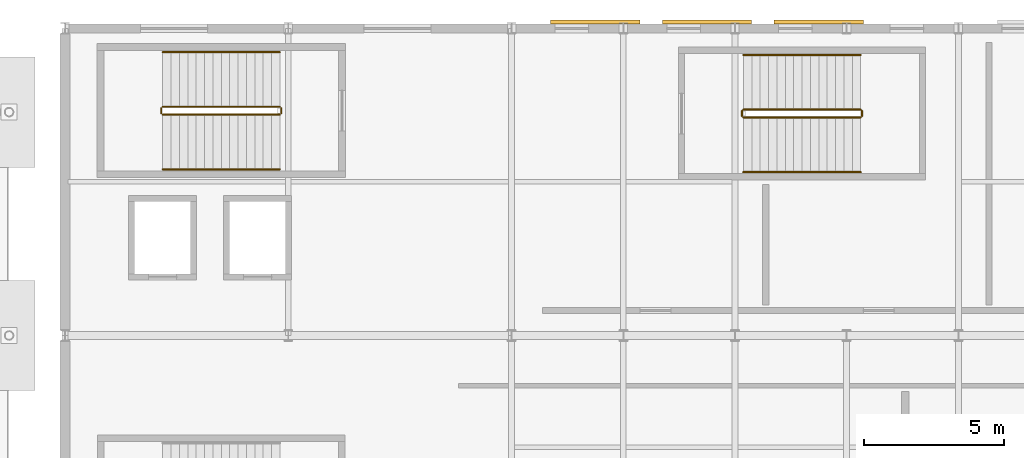
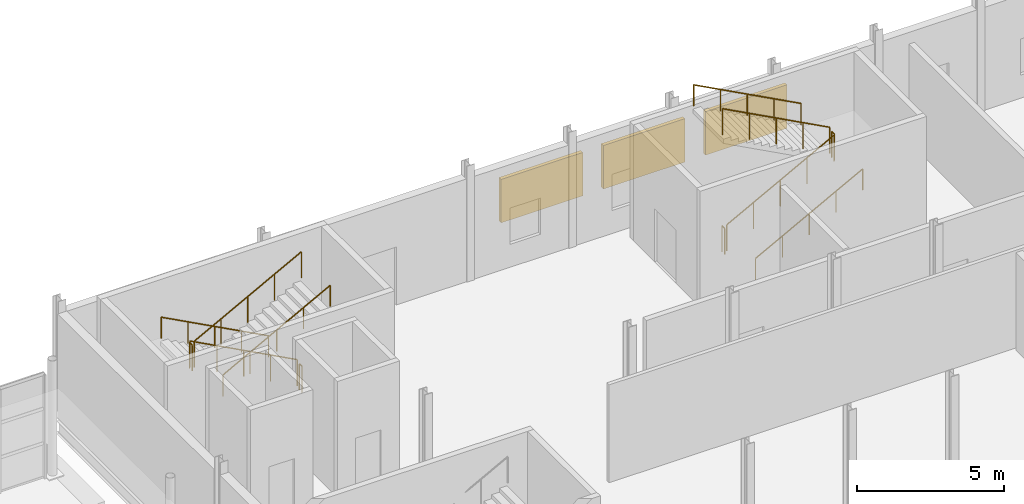
# One storey, part 98 of 101: 12 railings, 3 shading devices.
"""IFC4 building model written with IfcOpenShell, lengths in metres."""

from ifc_helpers import new_model, si_unit, derived_unit, direction, frame, origin, origin_2d, place, context, subcontext, project, spatial, rectangle, circle, extrude, material, type_object, element, save


model = new_model("IFC4")

# Units and contexts
model_context = context("Model", 3, precision=1e-05, world=origin(), true_north=direction((0.0, 1.0)))
body_context = subcontext(model_context, "Body", "Model", "MODEL_VIEW")
ifc_project = project(units=[si_unit("LENGTHUNIT", "METRE"), si_unit("AREAUNIT", "SQUARE_METRE"), si_unit("VOLUMEUNIT", "CUBIC_METRE"), si_unit("PLANEANGLEUNIT", "RADIAN"), si_unit("MASSUNIT", "GRAM", prefix="KILO"), derived_unit("THERMALTRANSMITTANCEUNIT", [(si_unit("POWERUNIT", "WATT"), 1), (si_unit("LENGTHUNIT", "METRE"), -2), (si_unit("THERMODYNAMICTEMPERATUREUNIT", "KELVIN"), -1)])], contexts=[model_context])

# Site, building, storey
site_placement = place(None, origin())
site = spatial("IfcSite", under=ifc_project, at=site_placement, CompositionType="ELEMENT")
building_placement = place(site_placement, origin())
building = spatial("IfcBuilding", under=site, at=building_placement, Name="Keldorne Ridge Multi-Sports Centre", CompositionType="ELEMENT")
storey_placement = place(building_placement, origin())
storey = spatial("IfcBuildingStorey", under=building, at=storey_placement, Name="L00", CompositionType="ELEMENT", Elevation=0.0)

# Railings
ifc_material_1 = material(Name="Laminated glass and stainless steel", Category="steel")
railing_type_1 = type_object("IfcRailingType", Name="RLG-BL-01", PredefinedType="BALUSTRADE", material=ifc_material_1)
railing_1_placement = place(storey_placement, frame((111.699951171875, 114.18994140625, 0.159912109375)))
element("IfcRailing", 1, at=railing_1_placement, inside=storey, type_object=railing_type_1, Name="L00 ST-01 stair guard 1", PredefinedType="BALUSTRADE", context=body_context, shape_type="SweptSolid", body=[
    extrude(circle(Radius=0.02392578125, at=origin_2d()), frame((0.0, 0.0, 1.076171875), z_axis=(-0.882351521365, 0.0, 0.470590897432), x_axis=(0.0, -1.0, 0.0)), (0.0, 0.0, 1.0), 4.760009765625),
    extrude(circle(Radius=0.02099609375, at=origin_2d()), origin(), (0.0, 0.0, 1.0), 1.052001953125),
    extrude(circle(Radius=0.02099609375, at=origin_2d()), frame((-1.050048828125, 0.0, 0.56005859375)), (0.0, 0.0, 1.0), 1.052001953125),
    extrude(circle(Radius=0.02099609375, at=origin_2d()), frame((-2.10009765625, 0.0, 1.1201171875)), (0.0, 0.0, 1.0), 1.052001953125),
    extrude(circle(Radius=0.02099609375, at=origin_2d()), frame((-3.14990234375, 0.0, 1.679931640625)), (0.0, 0.0, 1.0), 1.052001953125),
    extrude(circle(Radius=0.02099609375, at=origin_2d()), frame((-4.199951171875, 0.0, 2.239990234375)), (0.0, 0.0, 1.0), 1.052001953125),
])
railing_2_placement = place(storey_placement, frame((107.449951171875, 114.139892578125, 2.39990234375)))
element("IfcRailing", 2, at=railing_2_placement, inside=storey, type_object=railing_type_1, Name="L00 ST-01 stair guard 2", PredefinedType="BALUSTRADE", context=body_context, shape_type="SweptSolid", body=[
    extrude(circle(Radius=0.02392578125, at=origin_2d()), frame((0.0, 0.0, 1.076171875), z_axis=(0.0, -1.0, 0.0), x_axis=(1.0, 0.0, 0.0)), (0.0, 0.0, 1.0), 0.179931640625),
    extrude(circle(Radius=0.02099609375, at=origin_2d()), origin(), (0.0, 0.0, 1.0), 1.052001953125),
    extrude(circle(Radius=0.02099609375, at=origin_2d()), frame((0.0, -0.179931640625, 0.0)), (0.0, 0.0, 1.0), 1.052001953125),
])
railing_3_placement = place(storey_placement, frame((107.5, 113.909912109375, 2.56005859375)))
element("IfcRailing", 3, at=railing_3_placement, inside=storey, type_object=railing_type_1, Name="L00 ST-01 stair guard 3", PredefinedType="BALUSTRADE", context=body_context, shape_type="SweptSolid", body=[
    extrude(circle(Radius=0.02392578125, at=origin_2d()), frame((0.0, 0.0, 1.076171875), z_axis=(0.882351521365, 0.0, 0.470590897432), x_axis=(0.0, 1.0, 0.0)), (0.0, 0.0, 1.0), 4.760009765625),
    extrude(circle(Radius=0.02099609375, at=origin_2d()), origin(), (0.0, 0.0, 1.0), 1.052001953125),
    extrude(circle(Radius=0.02099609375, at=origin_2d()), frame((1.050048828125, 0.0, 0.56005859375)), (0.0, 0.0, 1.0), 1.052001953125),
    extrude(circle(Radius=0.02099609375, at=origin_2d()), frame((2.10009765625, 0.0, 1.1201171875)), (0.0, 0.0, 1.0), 1.052001953125),
    extrude(circle(Radius=0.02099609375, at=origin_2d()), frame((3.14990234375, 0.0, 1.679931640625)), (0.0, 0.0, 1.0), 1.052001953125),
    extrude(circle(Radius=0.02099609375, at=origin_2d()), frame((4.199951171875, 0.0, 2.239990234375)), (0.0, 0.0, 1.0), 1.052001953125),
])
railing_4_placement = place(storey_placement, frame((111.75, 114.139892578125, 0.0)))
element("IfcRailing", 4, at=railing_4_placement, inside=storey, type_object=railing_type_1, Name="L00 ST-01 stair guard 4", PredefinedType="BALUSTRADE", context=body_context, shape_type="SweptSolid", body=[
    extrude(circle(Radius=0.02392578125, at=origin_2d()), frame((0.0, 0.0, 1.076171875), z_axis=(0.0, -1.0, 0.0), x_axis=(1.0, 0.0, 0.0)), (0.0, 0.0, 1.0), 0.179931640625),
    extrude(circle(Radius=0.02099609375, at=origin_2d()), origin(), (0.0, 0.0, 1.0), 1.052001953125),
    extrude(circle(Radius=0.02099609375, at=origin_2d()), frame((0.0, -0.179931640625, 0.0)), (0.0, 0.0, 1.0), 1.052001953125),
])
railing_5_placement = place(storey_placement, frame((128.300048828125, 113.81005859375, 0.159912109375)))
element("IfcRailing", 5, at=railing_5_placement, inside=storey, type_object=railing_type_1, Name="L00 ST-10 stair guard 1", PredefinedType="BALUSTRADE", context=body_context, shape_type="SweptSolid", body=[
    extrude(circle(Radius=0.02392578125, at=origin_2d()), frame((0.0, 0.0, 1.076171875), z_axis=(0.882351521365, 0.0, 0.470590897432), x_axis=(0.0, 1.0, 0.0)), (0.0, 0.0, 1.0), 4.760009765625),
    extrude(circle(Radius=0.02099609375, at=origin_2d()), origin(), (0.0, 0.0, 1.0), 1.052001953125),
    extrude(circle(Radius=0.02099609375, at=origin_2d()), frame((1.050048828125, 0.0, 0.56005859375)), (0.0, 0.0, 1.0), 1.052001953125),
    extrude(circle(Radius=0.02099609375, at=origin_2d()), frame((2.10009765625, 0.0, 1.1201171875)), (0.0, 0.0, 1.0), 1.052001953125),
    extrude(circle(Radius=0.02099609375, at=origin_2d()), frame((3.14990234375, 0.0, 1.679931640625)), (0.0, 0.0, 1.0), 1.052001953125),
    extrude(circle(Radius=0.02099609375, at=origin_2d()), frame((4.199951171875, 0.0, 2.239990234375)), (0.0, 0.0, 1.0), 1.052001953125),
])
railing_6_placement = place(storey_placement, frame((132.550048828125, 113.860107421875, 2.39990234375)))
element("IfcRailing", 6, at=railing_6_placement, inside=storey, type_object=railing_type_1, Name="L00 ST-10 stair guard 2", PredefinedType="BALUSTRADE", context=body_context, shape_type="SweptSolid", body=[
    extrude(circle(Radius=0.02392578125, at=origin_2d()), frame((0.0, 0.0, 1.076171875), z_axis=(0.0, 1.0, 0.0), x_axis=(-1.0, 0.0, 0.0)), (0.0, 0.0, 1.0), 0.179931640625),
    extrude(circle(Radius=0.02099609375, at=origin_2d()), origin(), (0.0, 0.0, 1.0), 1.052001953125),
    extrude(circle(Radius=0.02099609375, at=origin_2d()), frame((0.0, 0.179931640625, 0.0)), (0.0, 0.0, 1.0), 1.052001953125),
])
railing_7_placement = place(storey_placement, frame((132.5, 114.090087890625, 2.56005859375)))
element("IfcRailing", 7, at=railing_7_placement, inside=storey, type_object=railing_type_1, Name="L00 ST-10 stair guard 3", PredefinedType="BALUSTRADE", context=body_context, shape_type="SweptSolid", body=[
    extrude(circle(Radius=0.02392578125, at=origin_2d()), frame((0.0, 0.0, 1.076171875), z_axis=(-0.882351521365, 0.0, 0.470590897432), x_axis=(0.0, -1.0, 0.0)), (0.0, 0.0, 1.0), 4.760009765625),
    extrude(circle(Radius=0.02099609375, at=origin_2d()), origin(), (0.0, 0.0, 1.0), 1.052001953125),
    extrude(circle(Radius=0.02099609375, at=origin_2d()), frame((-1.050048828125, 0.0, 0.56005859375)), (0.0, 0.0, 1.0), 1.052001953125),
    extrude(circle(Radius=0.02099609375, at=origin_2d()), frame((-2.10009765625, 0.0, 1.1201171875)), (0.0, 0.0, 1.0), 1.052001953125),
    extrude(circle(Radius=0.02099609375, at=origin_2d()), frame((-3.14990234375, 0.0, 1.679931640625)), (0.0, 0.0, 1.0), 1.052001953125),
    extrude(circle(Radius=0.02099609375, at=origin_2d()), frame((-4.199951171875, 0.0, 2.239990234375)), (0.0, 0.0, 1.0), 1.052001953125),
])
railing_8_placement = place(storey_placement, frame((128.25, 113.860107421875, 0.0)))
element("IfcRailing", 8, at=railing_8_placement, inside=storey, type_object=railing_type_1, Name="L00 ST-10 stair guard 4", PredefinedType="BALUSTRADE", context=body_context, shape_type="SweptSolid", body=[
    extrude(circle(Radius=0.02392578125, at=origin_2d()), frame((0.0, 0.0, 1.076171875), z_axis=(0.0, 1.0, 0.0), x_axis=(-1.0, 0.0, 0.0)), (0.0, 0.0, 1.0), 0.179931640625),
    extrude(circle(Radius=0.02099609375, at=origin_2d()), origin(), (0.0, 0.0, 1.0), 1.052001953125),
    extrude(circle(Radius=0.02099609375, at=origin_2d()), frame((0.0, 0.179931640625, 0.0)), (0.0, 0.0, 1.0), 1.052001953125),
])
ifc_material_2 = material(Name="Stainless steel", Category="steel")
railing_type_2 = type_object("IfcRailingType", Name="RLG-HR-01", PredefinedType="HANDRAIL", material=ifc_material_2)
railing_9_placement = place(storey_placement, frame((111.699951171875, 116.14990234375, 0.159912109375)))
element("IfcRailing", 9, at=railing_9_placement, inside=storey, type_object=railing_type_2, Name="L00 ST-01 stair handrail 1", PredefinedType="HANDRAIL", context=body_context, shape_type="SweptSolid", body=[
    extrude(circle(Radius=0.02392578125, at=origin_2d()), frame((0.0, 0.0, 0.8759765625), z_axis=(-0.882351521365, 0.0, 0.470590897432), x_axis=(0.0, -1.0, 0.0)), (0.0, 0.0, 1.0), 4.760009765625),
    extrude(circle(Radius=0.02099609375, at=origin_2d()), origin(), (0.0, 0.0, 1.0), 0.851806640625),
    extrude(circle(Radius=0.02099609375, at=origin_2d()), frame((-1.050048828125, 0.0, 0.56005859375)), (0.0, 0.0, 1.0), 0.851806640625),
    extrude(circle(Radius=0.02099609375, at=origin_2d()), frame((-2.10009765625, 0.0, 1.1201171875)), (0.0, 0.0, 1.0), 0.851806640625),
    extrude(circle(Radius=0.02099609375, at=origin_2d()), frame((-3.14990234375, 0.0, 1.679931640625)), (0.0, 0.0, 1.0), 0.851806640625),
    extrude(circle(Radius=0.02099609375, at=origin_2d()), frame((-4.199951171875, 0.0, 2.239990234375)), (0.0, 0.0, 1.0), 0.851806640625),
])
for number, where, name in (
    (10, (107.5, 111.949951171875, 2.56005859375), "L00 ST-01 stair handrail 2"),
    (11, (128.300048828125, 111.85009765625, 0.159912109375), "L00 ST-10 stair handrail 1"),
):
    element("IfcRailing", number, at=place(storey_placement, frame(where)), inside=storey, type_object=railing_type_2, Name=name, PredefinedType="HANDRAIL", context=body_context, shape_type="SweptSolid", body=[
        extrude(circle(Radius=0.02392578125, at=origin_2d()), frame((0.0, 0.0, 0.8759765625), z_axis=(0.882351521365, 0.0, 0.470590897432), x_axis=(0.0, 1.0, 0.0)), (0.0, 0.0, 1.0), 4.760009765625),
        extrude(circle(Radius=0.02099609375, at=origin_2d()), origin(), (0.0, 0.0, 1.0), 0.851806640625),
        extrude(circle(Radius=0.02099609375, at=origin_2d()), frame((1.050048828125, 0.0, 0.56005859375)), (0.0, 0.0, 1.0), 0.851806640625),
        extrude(circle(Radius=0.02099609375, at=origin_2d()), frame((2.10009765625, 0.0, 1.1201171875)), (0.0, 0.0, 1.0), 0.851806640625),
        extrude(circle(Radius=0.02099609375, at=origin_2d()), frame((3.14990234375, 0.0, 1.679931640625)), (0.0, 0.0, 1.0), 0.851806640625),
        extrude(circle(Radius=0.02099609375, at=origin_2d()), frame((4.199951171875, 0.0, 2.239990234375)), (0.0, 0.0, 1.0), 0.851806640625),
    ])
railing_10_placement = place(storey_placement, frame((132.5, 116.050048828125, 2.56005859375)))
element("IfcRailing", 12, at=railing_10_placement, inside=storey, type_object=railing_type_2, Name="L00 ST-10 stair handrail 2", PredefinedType="HANDRAIL", context=body_context, shape_type="SweptSolid", body=[
    extrude(circle(Radius=0.02392578125, at=origin_2d()), frame((0.0, 0.0, 0.8759765625), z_axis=(-0.882351521365, 0.0, 0.470590897432), x_axis=(0.0, -1.0, 0.0)), (0.0, 0.0, 1.0), 4.760009765625),
    extrude(circle(Radius=0.02099609375, at=origin_2d()), origin(), (0.0, 0.0, 1.0), 0.851806640625),
    extrude(circle(Radius=0.02099609375, at=origin_2d()), frame((-1.050048828125, 0.0, 0.56005859375)), (0.0, 0.0, 1.0), 0.851806640625),
    extrude(circle(Radius=0.02099609375, at=origin_2d()), frame((-2.10009765625, 0.0, 1.1201171875)), (0.0, 0.0, 1.0), 0.851806640625),
    extrude(circle(Radius=0.02099609375, at=origin_2d()), frame((-3.14990234375, 0.0, 1.679931640625)), (0.0, 0.0, 1.0), 0.851806640625),
    extrude(circle(Radius=0.02099609375, at=origin_2d()), frame((-4.199951171875, 0.0, 2.239990234375)), (0.0, 0.0, 1.0), 0.851806640625),
])

# Shading devices
ifc_material_3 = material(Name="Anodized aluminium", Category="aluminium")
shading_device_type = type_object("IfcShadingDeviceType", Name="SHD-LV-01", PredefinedType="USERDEFINED", material=ifc_material_3)
for number, where, z_axis, x_axis, name in (
    (13, (123.0, 117.22998046875, 1.7001953125), (0.0, 0.0, 1.0), (1.0, 0.0, 0.0), "Acoustic weather louvre LV-03"),
    (14, (127.0, 117.22998046875, 1.7001953125), (0.0, 0.0, 1.0), (1.0, 0.0, 0.0), "Acoustic weather louvre LV-04"),
    (15, (131.0, 117.22998046875, 1.7001953125), (0.0, 0.0, 1.0), (1.0, 0.0, 0.0), "Acoustic weather louvre LV-05"),
):
    element("IfcShadingDevice", number, at=place(storey_placement, frame(where, z_axis=z_axis, x_axis=x_axis)), inside=storey, type_object=shading_device_type, Name=name, ObjectType="LOUVRE", PredefinedType="USERDEFINED", context=body_context, shape_type="SweptSolid", body=[
        extrude(rectangle(XDim=3.199951171875, YDim=0.139892578125, at=origin_2d()), origin(), (0.0, 0.0, 1.0), 1.800048828125),
    ])

save(model, "model.ifc")
